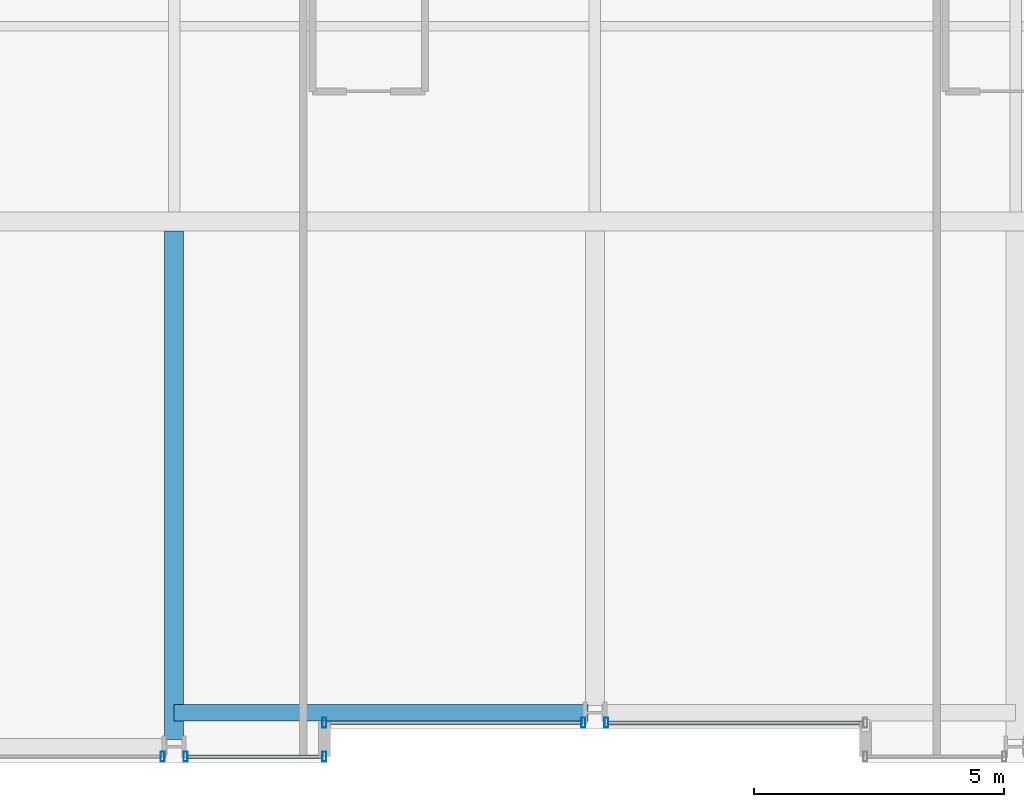
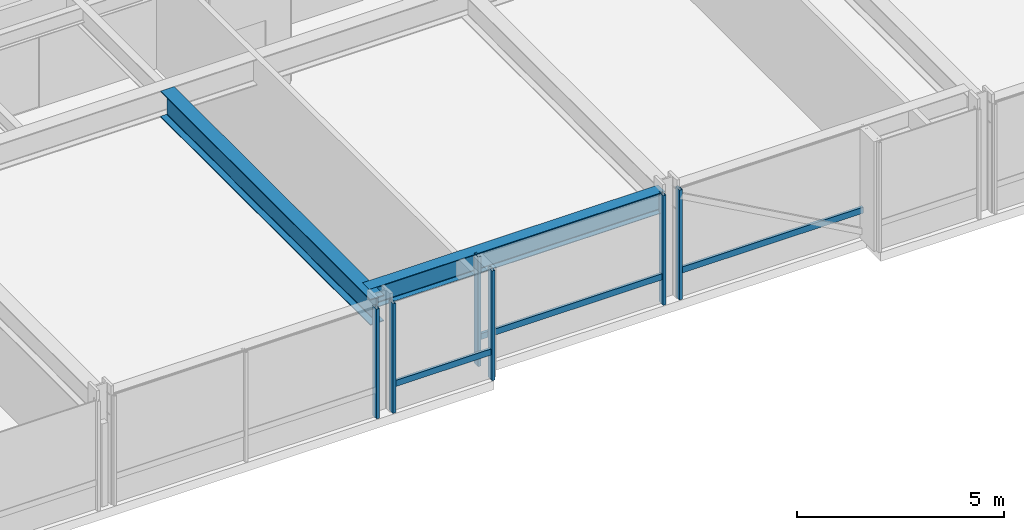
# One storey, part 5 of 38: 9 members, 2 beams, 4 elements without a shape of their own.
"""IFC4 building model written with IfcOpenShell, lengths in metres."""

from ifc_helpers import new_model, si_unit, direction, frame, origin, origin_2d, place, context, subcontext, project, spatial, hollow_rectangle, i_section, extrude, material, layer, layer_set, material_profile, profile_set, type_object, element, aggregate, save


model = new_model("IFC4")

# Units and contexts
model_context = context("Model", 3, precision=1e-05, world=origin(), true_north=direction((0.0, 1.0)))
body_context = subcontext(model_context, "Body", "Model", "MODEL_VIEW")
ifc_project = project(units=[si_unit("LENGTHUNIT", "METRE"), si_unit("AREAUNIT", "SQUARE_METRE"), si_unit("VOLUMEUNIT", "CUBIC_METRE"), si_unit("PLANEANGLEUNIT", "RADIAN"), si_unit("MASSUNIT", "GRAM", prefix="KILO")], contexts=[model_context])

# Site, building, storey
site_placement = place(None, origin())
site = spatial("IfcSite", under=ifc_project, at=site_placement, CompositionType="ELEMENT")
building_placement = place(site_placement, origin())
building = spatial("IfcBuilding", under=site, at=building_placement, Name="Drelvath Grand Hotel", CompositionType="ELEMENT")
storey_placement = place(building_placement, frame((0.0, 0.0, 71.699951171875)))
storey = spatial("IfcBuildingStorey", under=building, at=storey_placement, Name="L17", CompositionType="ELEMENT", Elevation=71.699951171875)

# Curtain wall, member
ifc_material_1 = material(Name="Warm Bronze Anodised Aluminium Frame", Category="aluminium")
ifc_layer = layer(ifc_material_1, 0.199951171875)
ifc_layer_set = layer_set([ifc_layer], Name="Warm Bronze Anodised Aluminium Frame")
curtain_wall_type = type_object("IfcCurtainWallType", Name="Stick Curtain Wall CW-02 Warm Bronze Low-Rise", PredefinedType="NOTDEFINED", material=ifc_layer_set)
curtain_wall_1_placement = place(storey_placement, origin())
curtain_wall_1 = element("IfcCurtainWall", 1, at=curtain_wall_1_placement, inside=storey, type_object=curtain_wall_type, Name="L17 CW-02 Curtain Wall CW02-L17-SM1", PredefinedType="NOTDEFINED")
ifc_material_profile_1 = material_profile(ifc_material_1, hollow_rectangle(XDim=0.074951171875, YDim=0.179931640625, WallThickness=0.0048828125, at=origin_2d()), Name="HSS180X75X5")
ifc_profile_set_1 = profile_set([ifc_material_profile_1], Name="Warm Bronze Anodised Aluminium Frame")
member_type_1 = type_object("IfcMemberType", Name="Curtain Wall Horizontal Transom CW-02 HSS180X75X5", PredefinedType="USERDEFINED", material=ifc_profile_set_1)
member_1_placement = place(storey_placement, frame((-0.26904296875, 0.800048828125, 0.81005859375), z_axis=(-1.0, 0.0, 0.0), x_axis=(0.0, -1.0, 0.0)))
member_1 = element("IfcMember", 2, at=member_1_placement, type_object=member_type_1, Name="CW02-L17-SM1 Sill Transom", ObjectType="TRANSOM", PredefinedType="USERDEFINED", context=body_context, shape_type="SweptSolid", body=[
    extrude(hollow_rectangle(XDim=0.074951171875, YDim=0.179931640625, WallThickness=0.0048828125, at=origin_2d()), origin(), (0.0, 0.0, 1.0), 5.091064453125),
])

curtain_wall_2_placement = place(storey_placement, origin())
curtain_wall_2 = element("IfcCurtainWall", 3, at=curtain_wall_2_placement, inside=storey, type_object=curtain_wall_type, Name="L17 CW-02 Curtain Wall CW02-L17-SM2", PredefinedType="NOTDEFINED")
member_2_placement = place(storey_placement, frame((5.360107421875, 0.800048828125, 0.81005859375), z_axis=(-1.0, 0.0, 0.0), x_axis=(0.0, -1.0, 0.0)))
member_2 = element("IfcMember", 4, at=member_2_placement, type_object=member_type_1, Name="CW02-L17-SM2 Sill Transom", ObjectType="TRANSOM", PredefinedType="USERDEFINED", context=body_context, shape_type="SweptSolid", body=[
    extrude(hollow_rectangle(XDim=0.074951171875, YDim=0.179931640625, WallThickness=0.0048828125, at=origin_2d()), origin(), (0.0, 0.0, 1.0), 5.091064453125),
])

curtain_wall_3_placement = place(storey_placement, origin())
curtain_wall_3 = element("IfcCurtainWall", 5, at=curtain_wall_3_placement, inside=storey, type_object=curtain_wall_type, Name="L17 CW-02 Curtain Wall CW02-L17-SW3", PredefinedType="NOTDEFINED")
member_3_placement = place(storey_placement, frame((-5.43994140625, 0.1201171875, 0.81005859375), z_axis=(-1.0, 0.0, 0.0), x_axis=(0.0, -1.0, 0.0)))
member_3 = element("IfcMember", 6, at=member_3_placement, type_object=member_type_1, Name="CW02-L17-SW3 Sill Transom", ObjectType="TRANSOM", PredefinedType="USERDEFINED", context=body_context, shape_type="SweptSolid", body=[
    extrude(hollow_rectangle(XDim=0.074951171875, YDim=0.179931640625, WallThickness=0.0048828125, at=origin_2d()), origin(), (0.0, 0.0, 1.0), 2.69091796875),
])

# Member
ifc_material_profile_2 = material_profile(ifc_material_1, hollow_rectangle(XDim=0.080078125, YDim=0.199951171875, WallThickness=0.0048828125, at=origin_2d()), Name="HSS200X80X5")
ifc_profile_set_2 = profile_set([ifc_material_profile_2], Name="Warm Bronze Anodised Aluminium Frame")
member_type_2 = type_object("IfcMemberType", Name="Curtain Wall Vertical Mullion CW-02 HSS200X80X5", PredefinedType="MULLION", material=ifc_profile_set_2)
member_4_placement = place(storey_placement, frame((-0.22900390625, 0.800048828125, 0.0), z_axis=(0.0, 0.0, 1.0), x_axis=(1.0, 0.0, 0.0)))
member_4 = element("IfcMember", 7, at=member_4_placement, type_object=member_type_2, Name="CW02-L17-SM1 Mullion 1", PredefinedType="MULLION", context=body_context, shape_type="SweptSolid", body=[
    extrude(hollow_rectangle(XDim=0.080078125, YDim=0.199951171875, WallThickness=0.0048828125, at=origin_2d()), origin(), (0.0, 0.0, 1.0), 3.239990234375),
])

member_5_placement = place(storey_placement, frame((-5.39990234375, 0.800048828125, 0.0), z_axis=(0.0, 0.0, 1.0), x_axis=(1.0, 0.0, 0.0)))
member_5 = element("IfcMember", 8, at=member_5_placement, type_object=member_type_2, Name="CW02-L17-SM1 Mullion 2", PredefinedType="MULLION", context=body_context, shape_type="SweptSolid", body=[
    extrude(hollow_rectangle(XDim=0.080078125, YDim=0.199951171875, WallThickness=0.0048828125, at=origin_2d()), origin(), (0.0, 0.0, 1.0), 3.239990234375),
])

aggregate(curtain_wall_1, [member_4, member_5, member_1])

member_6_placement = place(storey_placement, frame((0.22900390625, 0.800048828125, 0.0), z_axis=(0.0, 0.0, 1.0), x_axis=(1.0, 0.0, 0.0)))
member_6 = element("IfcMember", 9, at=member_6_placement, type_object=member_type_2, Name="CW02-L17-SM2 Mullion 2", PredefinedType="MULLION", context=body_context, shape_type="SweptSolid", body=[
    extrude(hollow_rectangle(XDim=0.080078125, YDim=0.199951171875, WallThickness=0.0048828125, at=origin_2d()), origin(), (0.0, 0.0, 1.0), 3.239990234375),
])

aggregate(curtain_wall_2, [member_6, member_2])

# Curtain wall, member
curtain_wall_4_placement = place(storey_placement, origin())
curtain_wall_4 = element("IfcCurtainWall", 10, at=curtain_wall_4_placement, inside=storey, type_object=curtain_wall_type, Name="L17 CW-02 Curtain Wall CW02-L17-SW2", PredefinedType="NOTDEFINED")
member_7_placement = place(storey_placement, frame((-8.629150390625, 0.1201171875, 0.0), z_axis=(0.0, 0.0, 1.0), x_axis=(1.0, 0.0, 0.0)))
member_7 = element("IfcMember", 11, at=member_7_placement, type_object=member_type_2, Name="CW02-L17-SW2 Mullion 1", PredefinedType="MULLION", context=body_context, shape_type="SweptSolid", body=[
    extrude(hollow_rectangle(XDim=0.080078125, YDim=0.199951171875, WallThickness=0.0048828125, at=origin_2d()), origin(), (0.0, 0.0, 1.0), 3.239990234375),
])
aggregate(curtain_wall_4, [member_7])

# Member
member_8_placement = place(storey_placement, frame((-5.39990234375, 0.1201171875, 0.0), z_axis=(0.0, 0.0, 1.0), x_axis=(1.0, 0.0, 0.0)))
member_8 = element("IfcMember", 12, at=member_8_placement, type_object=member_type_2, Name="CW02-L17-SW3 Mullion 1", PredefinedType="MULLION", context=body_context, shape_type="SweptSolid", body=[
    extrude(hollow_rectangle(XDim=0.080078125, YDim=0.199951171875, WallThickness=0.0048828125, at=origin_2d()), origin(), (0.0, 0.0, 1.0), 3.239990234375),
])

member_9_placement = place(storey_placement, frame((-8.1708984375, 0.1201171875, 0.0), z_axis=(0.0, 0.0, 1.0), x_axis=(1.0, 0.0, 0.0)))
member_9 = element("IfcMember", 13, at=member_9_placement, type_object=member_type_2, Name="CW02-L17-SW3 Mullion 2", PredefinedType="MULLION", context=body_context, shape_type="SweptSolid", body=[
    extrude(hollow_rectangle(XDim=0.080078125, YDim=0.199951171875, WallThickness=0.0048828125, at=origin_2d()), origin(), (0.0, 0.0, 1.0), 3.239990234375),
])

aggregate(curtain_wall_3, [member_8, member_9, member_3])

# Beams
ifc_material_2 = material(Name="Steel ASTM A992 Gr 50", Category="steel")
ifc_material_profile_3 = material_profile(ifc_material_2, i_section(OverallWidth=0.323974609375, OverallDepth=0.611083984375, WebThickness=0.0126953125, FlangeThickness=0.01904296875, FilletRadius=0.02197265625, at=origin_2d()), Name="W24X104")
ifc_profile_set_3 = profile_set([ifc_material_profile_3], Name="Steel ASTM A992 Gr 50")
beam_type_1 = type_object("IfcBeamType", Name="Perimeter Spandrel Beam W24X104", PredefinedType="SPANDREL", material=ifc_profile_set_3)
beam_1_placement = place(storey_placement, frame((-8.39990234375, 1.0, 2.9345703125), z_axis=(1.0, 0.0, 0.0), x_axis=(0.0, 1.0, 0.0)))
element("IfcBeam", 14, at=beam_1_placement, inside=storey, type_object=beam_type_1, Name="L17 Spandrel South Mid W", PredefinedType="SPANDREL", context=body_context, shape_type="SweptSolid", body=[
    extrude(i_section(OverallWidth=0.323974609375, OverallDepth=0.611083984375, WebThickness=0.0126953125, FlangeThickness=0.01904296875, FilletRadius=0.02197265625, at=origin_2d()), origin(), (0.0, 0.0, 1.0), 8.260009765625),
])
ifc_material_profile_4 = material_profile(ifc_material_2, i_section(OverallWidth=0.380615234375, OverallDepth=0.773193359375, WebThickness=0.0166015625, FlangeThickness=0.027099609375, FilletRadius=0.02490234375, at=origin_2d()), Name="W30X173")
ifc_profile_set_4 = profile_set([ifc_material_profile_4], Name="Steel ASTM A992 Gr 50")
beam_type_2 = type_object("IfcBeamType", Name="Primary Floor Girder W30X173", PredefinedType="BEAM", material=ifc_profile_set_4)
beam_2_placement = place(storey_placement, frame((-8.39990234375, 0.4599609375, 2.853515625), z_axis=(0.0, 1.0, 0.0), x_axis=(-1.0, 0.0, 0.0)))
element("IfcBeam", 15, at=beam_2_placement, inside=storey, type_object=beam_type_2, Name="L17 South Wing Girder 4", PredefinedType="BEAM", context=body_context, shape_type="SweptSolid", body=[
    extrude(i_section(OverallWidth=0.380615234375, OverallDepth=0.773193359375, WebThickness=0.0166015625, FlangeThickness=0.027099609375, FilletRadius=0.02490234375, at=origin_2d()), origin(), (0.0, 0.0, 1.0), 10.149658203125),
])

save(model, "model.ifc")
